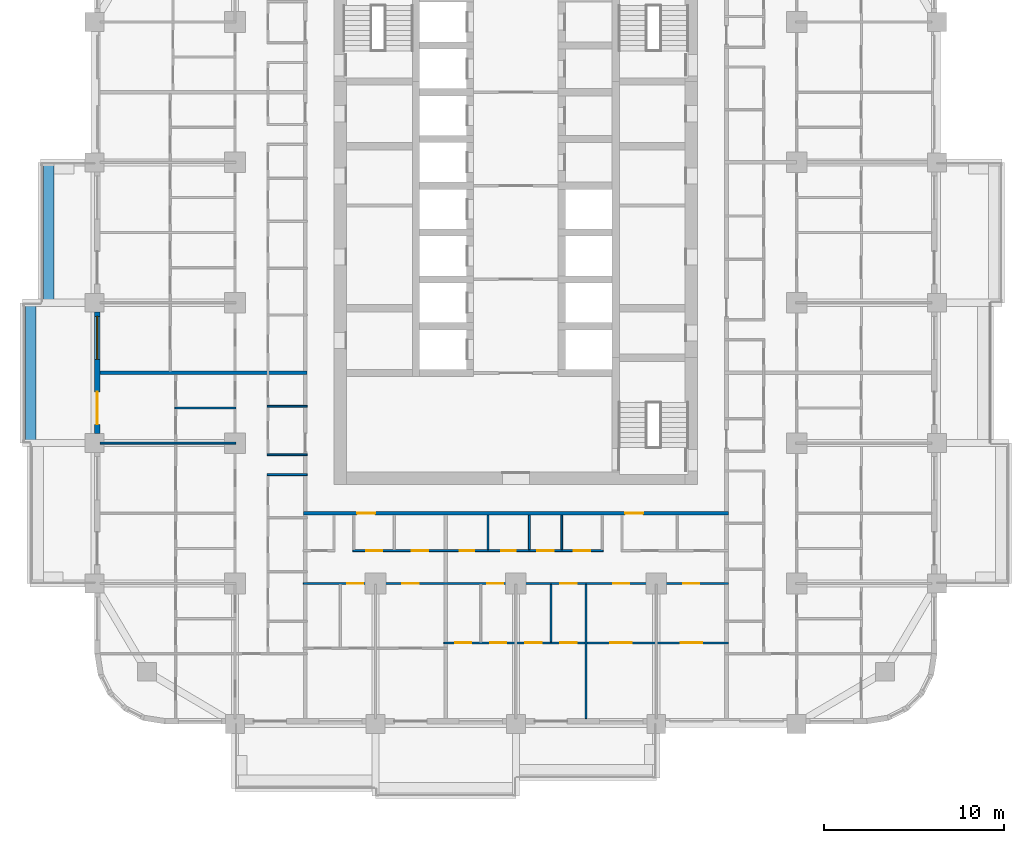
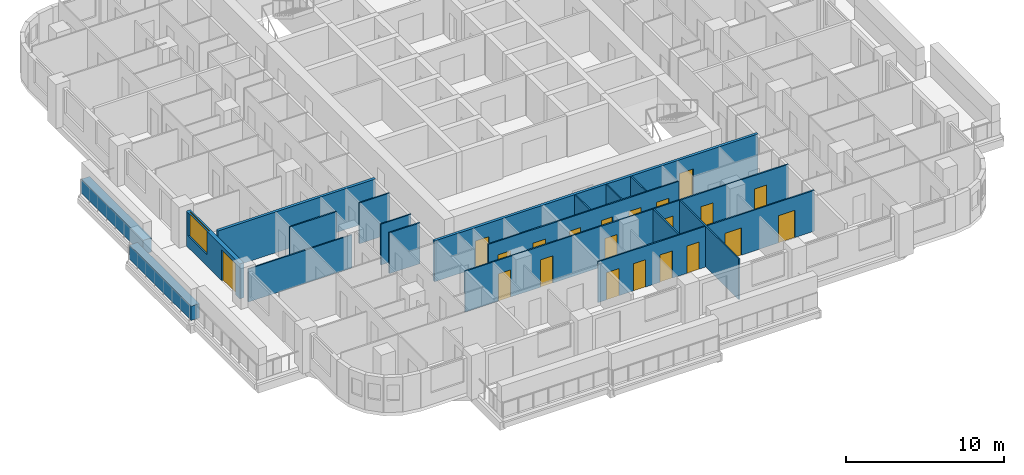
# One storey, part 4 of 17: 21 doors, 18 walls, 1 window, 22 openings.
"""IFC4 building model written with IfcOpenShell, lengths in metres."""

from ifc_helpers import new_model, si_unit, direction, frame, frame_2d, origin, place, context, subcontext, project, spatial, rectangle, extrude, material, layer, layer_set, type_object, element, fill, save


model = new_model("IFC4")

# Units and contexts
model_context = context("Model", 3, precision=1e-05, world=origin(), true_north=direction((0.0, 1.0)))
body_context = subcontext(model_context, "Body", "Model", "MODEL_VIEW")
ifc_project = project(units=[si_unit("LENGTHUNIT", "METRE"), si_unit("AREAUNIT", "SQUARE_METRE"), si_unit("VOLUMEUNIT", "CUBIC_METRE"), si_unit("PLANEANGLEUNIT", "RADIAN"), si_unit("MASSUNIT", "GRAM", prefix="KILO")], contexts=[model_context])

# Site, building, storey
site_placement = place(None, origin())
site = spatial("IfcSite", under=ifc_project, at=site_placement, CompositionType="ELEMENT")
building_placement = place(site_placement, origin())
building = spatial("IfcBuilding", under=site, at=building_placement, Name="Ludao Terraces", CompositionType="ELEMENT")
storey_placement = place(building_placement, frame((0.0, 0.0, 54.60009765625)))
storey = spatial("IfcBuildingStorey", under=building, at=storey_placement, Name="L14", CompositionType="ELEMENT", Elevation=54.60009765625)

# Walls
ifc_material_1 = material(Name="Concrete C40", Category="concrete")
ifc_layer_1 = layer(ifc_material_1, 0.60009765625)
ifc_layer_set_1 = layer_set([ifc_layer_1], Name="ENV Planter trough 600")
wall_type_1 = type_object("IfcWallType", Name="ENV Planter trough 600", PredefinedType="USERDEFINED", material=ifc_layer_set_1)
for number, where, z_axis, x_axis, name in (
    (1, (58.050048828125, 57.199951171875, 0.0), (0.0, 0.0, 1.0), (0.0, 1.0, 0.0), "PL-L14-W2"),
    (2, (59.050048828125, 65.0, 0.0), (0.0, 0.0, 1.0), (0.0, 1.0, 0.0), "PL-L14-W3"),
):
    element("IfcWall", number, at=place(storey_placement, frame(where, z_axis=z_axis, x_axis=x_axis)), inside=storey, type_object=wall_type_1, Name=name, ObjectType="PLANTER", PredefinedType="USERDEFINED", context=body_context, shape_type="SweptSolid", body=[
        extrude(rectangle(XDim=7.800048828125, YDim=0.60009765625, at=frame_2d((3.89990234375, 0.0))), origin(), (0.0, 0.0, 1.0), 1.099853515625),
    ])

# Wall, openings, door, window
ifc_material_2 = material(Name="Granite cladding", Category="masonry")
ifc_layer_2 = layer(ifc_material_2, 0.0400390625, Category="stone")
ifc_material_3 = material(Name="Mineral wool")
ifc_layer_3 = layer(ifc_material_3, 0.06005859375)
ifc_layer_4 = layer(ifc_material_1, 0.199951171875, Category="concrete")
ifc_layer_set_2 = layer_set([ifc_layer_2, ifc_layer_3, ifc_layer_4], Name="ENV Stone-clad wall 300")
wall_type_2 = type_object("IfcWallType", Name="ENV Stone-clad wall 300", PredefinedType="SOLIDWALL", material=ifc_layer_set_2)
wall_1_placement = place(storey_placement, frame((61.75, 57.72509765625, 0.0), z_axis=(0.0, 0.0, 1.0), x_axis=(0.0, 1.0, 0.0)))
wall_1 = element("IfcWall", 3, at=wall_1_placement, inside=storey, type_object=wall_type_2, Name="EW-L14-W3", PredefinedType="SOLIDWALL", context=body_context, shape_type="SweptSolid", body=[
    extrude(rectangle(XDim=6.75, YDim=0.300048828125, at=frame_2d((3.375, 0.0))), origin(), (0.0, 0.0, 1.0), 2.699951171875),
])
opening_1_placement = place(wall_1_placement, frame((0.52490234375, 0.0, 0.0)))
opening_1 = element("IfcOpeningElement", 4, at=opening_1_placement, cuts=wall_1, Name="Opening BD", PredefinedType="OPENING", context=body_context, shape_type="SweptSolid", body=[
    extrude(rectangle(XDim=1.800048828125, YDim=2.39990234375, at=frame_2d((0.89990234375, 1.199951171875))), frame((0.0, 0.16015625, 0.0), z_axis=(0.0, -1.0, 0.0), x_axis=(1.0, 0.0, 0.0)), (0.0, 0.0, 1.0), 0.320068359375),
])
opening_2_placement = place(wall_1_placement, frame((4.125, 0.0, 0.89990234375)))
opening_2 = element("IfcOpeningElement", 5, at=opening_2_placement, cuts=wall_1, Name="Opening W1", PredefinedType="OPENING", context=body_context, shape_type="SweptSolid", body=[
    extrude(rectangle(XDim=2.39990234375, YDim=1.800048828125, at=frame_2d((1.199951171875, 0.89990234375))), frame((0.0, 0.16015625, 0.0), z_axis=(0.0, -1.0, 0.0), x_axis=(1.0, 0.0, 0.0)), (0.0, 0.0, 1.0), 0.320068359375),
])
ifc_material_4 = material(Name="Aluminium glazed door", Category="aluminium")
ifc_layer_5 = layer(ifc_material_4, 0.06005859375)
ifc_layer_set_3 = layer_set([ifc_layer_5], Name="ENV Balcony door BD 1800x2400")
door_type_1 = type_object("IfcDoorType", Name="ENV Balcony door BD 1800x2400", OperationType="DOUBLE_DOOR_SINGLE_SWING", PredefinedType="DOOR", material=ifc_layer_set_3)
door_1_placement = place(opening_1_placement, origin())
door_1 = element("IfcDoor", 6, at=door_1_placement, inside=storey, type_object=door_type_1, Name="BD-L14-W3-1", OperationType="DOUBLE_DOOR_SINGLE_SWING", OverallHeight=2.39990234375, OverallWidth=1.800048828125, PredefinedType="DOOR", context=body_context, shape_type="SweptSolid", body=[
    extrude(rectangle(XDim=1.800048828125, YDim=2.39990234375, at=frame_2d((0.89990234375, 1.199951171875))), frame((0.0, 0.02490234375, 0.0), z_axis=(0.0, -1.0, 0.0), x_axis=(1.0, 0.0, 0.0)), (0.0, 0.0, 1.0), 0.050048828125),
])
fill(opening_1, door_1)
ifc_material_5 = material(Name="Clear glass in aluminium frame", Category="aluminium")
ifc_layer_6 = layer(ifc_material_5, 0.06005859375)
ifc_layer_set_4 = layer_set([ifc_layer_6], Name="ENV Window W1 2400x1800")
window_type = type_object("IfcWindowType", Name="ENV Window W1 2400x1800", PartitioningType="DOUBLE_PANEL_VERTICAL", PredefinedType="WINDOW", material=ifc_layer_set_4)
window_placement = place(opening_2_placement, origin())
window = element("IfcWindow", 7, at=window_placement, inside=storey, type_object=window_type, Name="W-L14-W3-2", OverallHeight=1.800048828125, OverallWidth=2.39990234375, PartitioningType="DOUBLE_PANEL_VERTICAL", PredefinedType="WINDOW", context=body_context, shape_type="SweptSolid", body=[
    extrude(rectangle(XDim=2.39990234375, YDim=1.800048828125, at=frame_2d((1.199951171875, 0.89990234375))), frame((0.0, 0.030029296875, 0.0), z_axis=(0.0, -1.0, 0.0), x_axis=(1.0, 0.0, 0.0)), (0.0, 0.0, 1.0), 0.06005859375),
])
fill(opening_2, window)

# Wall, openings, doors
ifc_material_6 = material(Name="Autoclaved aerated concrete block B06 A3.5", Category="concrete")
ifc_layer_7 = layer(ifc_material_6, 0.199951171875)
ifc_layer_set_5 = layer_set([ifc_layer_7], Name="INT Entrance wall 200")
wall_type_3 = type_object("IfcWallType", Name="INT Entrance wall 200", PredefinedType="PARTITIONING", material=ifc_layer_set_5)
wall_2_placement = place(storey_placement, frame((73.2001953125, 53.300048828125, 0.0), z_axis=(0.0, 0.0, 1.0), x_axis=(1.0, 0.0, 0.0)))
wall_2 = element("IfcWall", 8, at=wall_2_placement, inside=storey, type_object=wall_type_3, Name="PW-L14-PW021", PredefinedType="PARTITIONING", context=body_context, shape_type="SweptSolid", body=[
    extrude(rectangle(XDim=23.599853515625, YDim=0.199951171875, at=frame_2d((11.7998046875, 0.0))), origin(), (0.0, 0.0, 1.0), 3.14990234375),
])
opening_3_placement = place(wall_2_placement, frame((2.974853515625, 0.0, 0.0)))
opening_3 = element("IfcOpeningElement", 9, at=opening_3_placement, cuts=wall_2, Name="Opening R04-049", PredefinedType="OPENING", context=body_context, shape_type="SweptSolid", body=[
    extrude(rectangle(XDim=1.0, YDim=2.10009765625, at=frame_2d((0.5, 1.050048828125))), frame((0.0, 0.10986328125, 0.0), z_axis=(0.0, -1.0, 0.0), x_axis=(1.0, 0.0, 0.0)), (0.0, 0.0, 1.0), 0.219970703125),
])
opening_4_placement = place(wall_2_placement, frame((17.875, 0.0, 0.0)))
opening_4 = element("IfcOpeningElement", 10, at=opening_4_placement, cuts=wall_2, Name="Opening R04-050", PredefinedType="OPENING", context=body_context, shape_type="SweptSolid", body=[
    extrude(rectangle(XDim=1.0, YDim=2.10009765625, at=frame_2d((0.5, 1.050048828125))), frame((0.0, 0.10986328125, 0.0), z_axis=(0.0, -1.0, 0.0), x_axis=(1.0, 0.0, 0.0)), (0.0, 0.0, 1.0), 0.219970703125),
])
ifc_material_7 = material(Name="Steel Q235", Category="steel")
door_type_2 = type_object("IfcDoorType", Name="INT Flat entrance door 1000", OperationType="SINGLE_SWING_LEFT", PredefinedType="DOOR", material=ifc_material_7)
door_2_placement = place(opening_3_placement, origin())
door_2 = element("IfcDoor", 11, at=door_2_placement, inside=storey, type_object=door_type_2, Name="DOOR 049", OperationType="SINGLE_SWING_LEFT", OverallHeight=2.10009765625, OverallWidth=1.0, PredefinedType="DOOR", context=body_context, shape_type="SweptSolid", body=[
    extrude(rectangle(XDim=1.0, YDim=2.10009765625, at=frame_2d((0.5, 1.050048828125))), frame((0.0, 0.02490234375, 0.0), z_axis=(0.0, -1.0, 0.0), x_axis=(1.0, 0.0, 0.0)), (0.0, 0.0, 1.0), 0.050048828125),
])
fill(opening_3, door_2)
door_3_placement = place(opening_4_placement, origin())
door_3 = element("IfcDoor", 12, at=door_3_placement, inside=storey, type_object=door_type_2, Name="DOOR 050", OperationType="SINGLE_SWING_LEFT", OverallHeight=2.10009765625, OverallWidth=1.0, PredefinedType="DOOR", context=body_context, shape_type="SweptSolid", body=[
    extrude(rectangle(XDim=1.0, YDim=2.10009765625, at=frame_2d((0.5, 1.050048828125))), frame((0.0, 0.02490234375, 0.0), z_axis=(0.0, -1.0, 0.0), x_axis=(1.0, 0.0, 0.0)), (0.0, 0.0, 1.0), 0.050048828125),
])
fill(opening_4, door_3)

ifc_material_8 = material(Name="Gypsum plasterboard", Category="gypsum")
ifc_layer_8 = layer(ifc_material_8, 0.012451171875, Category="gypsum")
ifc_layer_9 = layer(ifc_material_3, 0.06005859375, Name="insulation")
ifc_layer_10 = layer(ifc_material_7, 0.014892578125, Name="stud")
ifc_layer_11 = layer(ifc_material_8, 0.012451171875, Category="gypsum")
ifc_layer_set_6 = layer_set([ifc_layer_8, ifc_layer_9, ifc_layer_10, ifc_layer_11], Name="INT Partition 100")
wall_type_4 = type_object("IfcWallType", Name="INT Partition 100", PredefinedType="PARTITIONING", material=ifc_layer_set_6)
wall_3_placement = place(storey_placement, frame((81.0, 46.10009765625, 0.0), z_axis=(0.0, 0.0, 1.0), x_axis=(1.0, 0.0, 0.0)))
wall_3 = element("IfcWall", 13, at=wall_3_placement, inside=storey, type_object=wall_type_4, Name="PW-L14-PW003", PredefinedType="PARTITIONING", context=body_context, shape_type="SweptSolid", body=[
    extrude(rectangle(XDim=15.800048828125, YDim=0.10009765625, at=frame_2d((7.89990234375, 0.0))), origin(), (0.0, 0.0, 1.0), 3.14990234375),
])
opening_5_placement = place(wall_3_placement, frame((0.625, 0.0, 0.0)))
opening_5 = element("IfcOpeningElement", 14, at=opening_5_placement, cuts=wall_3, Name="Opening R04-010", PredefinedType="OPENING", context=body_context, shape_type="SweptSolid", body=[
    extrude(rectangle(XDim=0.89990234375, YDim=2.10009765625, at=frame_2d((0.449951171875, 1.050048828125))), frame((0.0, 0.06005859375, 0.0), z_axis=(0.0, -1.0, 0.0), x_axis=(1.0, 0.0, 0.0)), (0.0, 0.0, 1.0), 0.1201171875),
])
opening_6_placement = place(wall_3_placement, frame((2.5751953125, 0.0, 0.0)))
opening_6 = element("IfcOpeningElement", 15, at=opening_6_placement, cuts=wall_3, Name="Opening R04-011", PredefinedType="OPENING", context=body_context, shape_type="SweptSolid", body=[
    extrude(rectangle(XDim=0.89990234375, YDim=2.10009765625, at=frame_2d((0.449951171875, 1.050048828125))), frame((0.0, 0.06005859375, 0.0), z_axis=(0.0, -1.0, 0.0), x_axis=(1.0, 0.0, 0.0)), (0.0, 0.0, 1.0), 0.1201171875),
])
opening_7_placement = place(wall_3_placement, frame((4.525146484375, 0.0, 0.0)))
opening_7 = element("IfcOpeningElement", 16, at=opening_7_placement, cuts=wall_3, Name="Opening R04-012", PredefinedType="OPENING", context=body_context, shape_type="SweptSolid", body=[
    extrude(rectangle(XDim=0.89990234375, YDim=2.10009765625, at=frame_2d((0.449951171875, 1.050048828125))), frame((0.0, 0.06005859375, 0.0), z_axis=(0.0, -1.0, 0.0), x_axis=(1.0, 0.0, 0.0)), (0.0, 0.0, 1.0), 0.1201171875),
])
opening_8_placement = place(wall_3_placement, frame((6.47509765625, 0.0, 0.0)))
opening_8 = element("IfcOpeningElement", 17, at=opening_8_placement, cuts=wall_3, Name="Opening R04-013", PredefinedType="OPENING", context=body_context, shape_type="SweptSolid", body=[
    extrude(rectangle(XDim=0.89990234375, YDim=2.10009765625, at=frame_2d((0.449951171875, 1.050048828125))), frame((0.0, 0.06005859375, 0.0), z_axis=(0.0, -1.0, 0.0), x_axis=(1.0, 0.0, 0.0)), (0.0, 0.0, 1.0), 0.1201171875),
])
opening_9_placement = place(wall_3_placement, frame((9.25, 0.0, 0.0)))
opening_9 = element("IfcOpeningElement", 18, at=opening_9_placement, cuts=wall_3, Name="Opening R04-014", PredefinedType="OPENING", context=body_context, shape_type="SweptSolid", body=[
    extrude(rectangle(XDim=1.199951171875, YDim=2.10009765625, at=frame_2d((0.60009765625, 1.050048828125))), frame((0.0, 0.06005859375, 0.0), z_axis=(0.0, -1.0, 0.0), x_axis=(1.0, 0.0, 0.0)), (0.0, 0.0, 1.0), 0.1201171875),
])
opening_10_placement = place(wall_3_placement, frame((13.150146484375, 0.0, 0.0)))
opening_10 = element("IfcOpeningElement", 19, at=opening_10_placement, cuts=wall_3, Name="Opening R04-015", PredefinedType="OPENING", context=body_context, shape_type="SweptSolid", body=[
    extrude(rectangle(XDim=1.199951171875, YDim=2.10009765625, at=frame_2d((0.60009765625, 1.050048828125))), frame((0.0, 0.06005859375, 0.0), z_axis=(0.0, -1.0, 0.0), x_axis=(1.0, 0.0, 0.0)), (0.0, 0.0, 1.0), 0.1201171875),
])
ifc_material_9 = material(Name="Timber door leaf", Category="wood")
door_type_3 = type_object("IfcDoorType", Name="INT Bathroom door 900", OperationType="SINGLE_SWING_LEFT", PredefinedType="DOOR", material=ifc_material_9)
door_4_placement = place(opening_5_placement, origin())
door_4 = element("IfcDoor", 20, at=door_4_placement, inside=storey, type_object=door_type_3, Name="DOOR 010", OperationType="SINGLE_SWING_LEFT", OverallHeight=2.10009765625, OverallWidth=0.89990234375, PredefinedType="DOOR", context=body_context, shape_type="SweptSolid", body=[
    extrude(rectangle(XDim=0.89990234375, YDim=2.10009765625, at=frame_2d((0.449951171875, 1.050048828125))), frame((0.0, 0.02490234375, 0.0), z_axis=(0.0, -1.0, 0.0), x_axis=(1.0, 0.0, 0.0)), (0.0, 0.0, 1.0), 0.050048828125),
])
fill(opening_5, door_4)
door_5_placement = place(opening_7_placement, origin())
door_5 = element("IfcDoor", 21, at=door_5_placement, inside=storey, type_object=door_type_3, Name="DOOR 012", OperationType="SINGLE_SWING_RIGHT", OverallHeight=2.10009765625, OverallWidth=0.89990234375, PredefinedType="DOOR", context=body_context, shape_type="SweptSolid", body=[
    extrude(rectangle(XDim=0.89990234375, YDim=2.10009765625, at=frame_2d((0.449951171875, 1.050048828125))), frame((0.0, 0.02490234375, 0.0), z_axis=(0.0, -1.0, 0.0), x_axis=(1.0, 0.0, 0.0)), (0.0, 0.0, 1.0), 0.050048828125),
])
fill(opening_7, door_5)
door_type_4 = type_object("IfcDoorType", Name="INT Double door 1200", OperationType="DOUBLE_DOOR_SINGLE_SWING", PredefinedType="DOOR", material=ifc_material_9)
door_6_placement = place(opening_9_placement, origin())
door_6 = element("IfcDoor", 22, at=door_6_placement, inside=storey, type_object=door_type_4, Name="DOOR 014", OperationType="DOUBLE_DOOR_SINGLE_SWING", OverallHeight=2.10009765625, OverallWidth=1.199951171875, PredefinedType="DOOR", context=body_context, shape_type="SweptSolid", body=[
    extrude(rectangle(XDim=1.199951171875, YDim=2.10009765625, at=frame_2d((0.60009765625, 1.050048828125))), frame((0.0, 0.02490234375, 0.0), z_axis=(0.0, -1.0, 0.0), x_axis=(1.0, 0.0, 0.0)), (0.0, 0.0, 1.0), 0.050048828125),
])
fill(opening_9, door_6)
door_7_placement = place(opening_10_placement, origin())
door_7 = element("IfcDoor", 23, at=door_7_placement, inside=storey, type_object=door_type_4, Name="DOOR 015", OperationType="DOUBLE_DOOR_SINGLE_SWING", OverallHeight=2.10009765625, OverallWidth=1.199951171875, PredefinedType="DOOR", context=body_context, shape_type="SweptSolid", body=[
    extrude(rectangle(XDim=1.199951171875, YDim=2.10009765625, at=frame_2d((0.60009765625, 1.050048828125))), frame((0.0, 0.02490234375, 0.0), z_axis=(0.0, -1.0, 0.0), x_axis=(1.0, 0.0, 0.0)), (0.0, 0.0, 1.0), 0.050048828125),
])
fill(opening_10, door_7)
door_type_5 = type_object("IfcDoorType", Name="INT Room door 900", OperationType="SINGLE_SWING_LEFT", PredefinedType="DOOR", material=ifc_material_9)
door_8_placement = place(opening_6_placement, origin())
door_8 = element("IfcDoor", 24, at=door_8_placement, inside=storey, type_object=door_type_5, Name="DOOR 011", OperationType="SINGLE_SWING_LEFT", OverallHeight=2.10009765625, OverallWidth=0.89990234375, PredefinedType="DOOR", context=body_context, shape_type="SweptSolid", body=[
    extrude(rectangle(XDim=0.89990234375, YDim=2.10009765625, at=frame_2d((0.449951171875, 1.050048828125))), frame((0.0, 0.02490234375, 0.0), z_axis=(0.0, -1.0, 0.0), x_axis=(1.0, 0.0, 0.0)), (0.0, 0.0, 1.0), 0.050048828125),
])
fill(opening_6, door_8)
door_9_placement = place(opening_8_placement, origin())
door_9 = element("IfcDoor", 25, at=door_9_placement, inside=storey, type_object=door_type_5, Name="DOOR 013", OperationType="SINGLE_SWING_LEFT", OverallHeight=2.10009765625, OverallWidth=0.89990234375, PredefinedType="DOOR", context=body_context, shape_type="SweptSolid", body=[
    extrude(rectangle(XDim=0.89990234375, YDim=2.10009765625, at=frame_2d((0.449951171875, 1.050048828125))), frame((0.0, 0.02490234375, 0.0), z_axis=(0.0, -1.0, 0.0), x_axis=(1.0, 0.0, 0.0)), (0.0, 0.0, 1.0), 0.050048828125),
])
fill(opening_8, door_9)

wall_4_placement = place(storey_placement, frame((73.2001953125, 49.39990234375, 0.0), z_axis=(0.0, 0.0, 1.0), x_axis=(1.0, 0.0, 0.0)))
wall_4 = element("IfcWall", 26, at=wall_4_placement, inside=storey, type_object=wall_type_4, Name="PW-L14-PW009", PredefinedType="PARTITIONING", context=body_context, shape_type="SweptSolid", body=[
    extrude(rectangle(XDim=23.599853515625, YDim=0.10009765625, at=frame_2d((11.7998046875, 0.0))), origin(), (0.0, 0.0, 1.0), 3.14990234375),
])
opening_11_placement = place(wall_4_placement, frame((2.4248046875, 0.0, 0.0)))
opening_11 = element("IfcOpeningElement", 27, at=opening_11_placement, cuts=wall_4, Name="Opening R04-026", PredefinedType="OPENING", context=body_context, shape_type="SweptSolid", body=[
    extrude(rectangle(XDim=0.89990234375, YDim=2.10009765625, at=frame_2d((0.449951171875, 1.050048828125))), frame((0.0, 0.06005859375, 0.0), z_axis=(0.0, -1.0, 0.0), x_axis=(1.0, 0.0, 0.0)), (0.0, 0.0, 1.0), 0.1201171875),
])
opening_12_placement = place(wall_4_placement, frame((5.5, 0.0, 0.0)))
opening_12 = element("IfcOpeningElement", 28, at=opening_12_placement, cuts=wall_4, Name="Opening R04-027", PredefinedType="OPENING", context=body_context, shape_type="SweptSolid", body=[
    extrude(rectangle(XDim=0.89990234375, YDim=2.10009765625, at=frame_2d((0.449951171875, 1.050048828125))), frame((0.0, 0.06005859375, 0.0), z_axis=(0.0, -1.0, 0.0), x_axis=(1.0, 0.0, 0.0)), (0.0, 0.0, 1.0), 0.1201171875),
])
opening_13_placement = place(wall_4_placement, frame((10.199951171875, 0.0, 0.0)))
opening_13 = element("IfcOpeningElement", 29, at=opening_13_placement, cuts=wall_4, Name="Opening R04-028", PredefinedType="OPENING", context=body_context, shape_type="SweptSolid", body=[
    extrude(rectangle(XDim=0.89990234375, YDim=2.10009765625, at=frame_2d((0.449951171875, 1.050048828125))), frame((0.0, 0.06005859375, 0.0), z_axis=(0.0, -1.0, 0.0), x_axis=(1.0, 0.0, 0.0)), (0.0, 0.0, 1.0), 0.1201171875),
])
opening_14_placement = place(wall_4_placement, frame((14.27490234375, 0.0, 0.0)))
opening_14 = element("IfcOpeningElement", 30, at=opening_14_placement, cuts=wall_4, Name="Opening R04-029", PredefinedType="OPENING", context=body_context, shape_type="SweptSolid", body=[
    extrude(rectangle(XDim=0.89990234375, YDim=2.10009765625, at=frame_2d((0.449951171875, 1.050048828125))), frame((0.0, 0.06005859375, 0.0), z_axis=(0.0, -1.0, 0.0), x_axis=(1.0, 0.0, 0.0)), (0.0, 0.0, 1.0), 0.1201171875),
])
opening_15_placement = place(wall_4_placement, frame((17.199951171875, 0.0, 0.0)))
opening_15 = element("IfcOpeningElement", 31, at=opening_15_placement, cuts=wall_4, Name="Opening R04-030", PredefinedType="OPENING", context=body_context, shape_type="SweptSolid", body=[
    extrude(rectangle(XDim=0.89990234375, YDim=2.10009765625, at=frame_2d((0.449951171875, 1.050048828125))), frame((0.0, 0.06005859375, 0.0), z_axis=(0.0, -1.0, 0.0), x_axis=(1.0, 0.0, 0.0)), (0.0, 0.0, 1.0), 0.1201171875),
])
opening_16_placement = place(wall_4_placement, frame((21.099853515625, 0.0, 0.0)))
opening_16 = element("IfcOpeningElement", 32, at=opening_16_placement, cuts=wall_4, Name="Opening R04-031", PredefinedType="OPENING", context=body_context, shape_type="SweptSolid", body=[
    extrude(rectangle(XDim=0.89990234375, YDim=2.10009765625, at=frame_2d((0.449951171875, 1.050048828125))), frame((0.0, 0.06005859375, 0.0), z_axis=(0.0, -1.0, 0.0), x_axis=(1.0, 0.0, 0.0)), (0.0, 0.0, 1.0), 0.1201171875),
])
door_10_placement = place(opening_11_placement, origin())
door_10 = element("IfcDoor", 33, at=door_10_placement, inside=storey, type_object=door_type_5, Name="DOOR 026", OperationType="SINGLE_SWING_RIGHT", OverallHeight=2.10009765625, OverallWidth=0.89990234375, PredefinedType="DOOR", context=body_context, shape_type="SweptSolid", body=[
    extrude(rectangle(XDim=0.89990234375, YDim=2.10009765625, at=frame_2d((0.449951171875, 1.050048828125))), frame((0.0, 0.02490234375, 0.0), z_axis=(0.0, -1.0, 0.0), x_axis=(1.0, 0.0, 0.0)), (0.0, 0.0, 1.0), 0.050048828125),
])
fill(opening_11, door_10)
door_11_placement = place(opening_12_placement, origin())
door_11 = element("IfcDoor", 34, at=door_11_placement, inside=storey, type_object=door_type_5, Name="DOOR 027", OperationType="SINGLE_SWING_RIGHT", OverallHeight=2.10009765625, OverallWidth=0.89990234375, PredefinedType="DOOR", context=body_context, shape_type="SweptSolid", body=[
    extrude(rectangle(XDim=0.89990234375, YDim=2.10009765625, at=frame_2d((0.449951171875, 1.050048828125))), frame((0.0, 0.02490234375, 0.0), z_axis=(0.0, -1.0, 0.0), x_axis=(1.0, 0.0, 0.0)), (0.0, 0.0, 1.0), 0.050048828125),
])
fill(opening_12, door_11)
door_12_placement = place(opening_13_placement, origin())
door_12 = element("IfcDoor", 35, at=door_12_placement, inside=storey, type_object=door_type_5, Name="DOOR 028", OperationType="SINGLE_SWING_RIGHT", OverallHeight=2.10009765625, OverallWidth=0.89990234375, PredefinedType="DOOR", context=body_context, shape_type="SweptSolid", body=[
    extrude(rectangle(XDim=0.89990234375, YDim=2.10009765625, at=frame_2d((0.449951171875, 1.050048828125))), frame((0.0, 0.02490234375, 0.0), z_axis=(0.0, -1.0, 0.0), x_axis=(1.0, 0.0, 0.0)), (0.0, 0.0, 1.0), 0.050048828125),
])
fill(opening_13, door_12)
door_13_placement = place(opening_14_placement, origin())
door_13 = element("IfcDoor", 36, at=door_13_placement, inside=storey, type_object=door_type_5, Name="DOOR 029", OperationType="SINGLE_SWING_RIGHT", OverallHeight=2.10009765625, OverallWidth=0.89990234375, PredefinedType="DOOR", context=body_context, shape_type="SweptSolid", body=[
    extrude(rectangle(XDim=0.89990234375, YDim=2.10009765625, at=frame_2d((0.449951171875, 1.050048828125))), frame((0.0, 0.02490234375, 0.0), z_axis=(0.0, -1.0, 0.0), x_axis=(1.0, 0.0, 0.0)), (0.0, 0.0, 1.0), 0.050048828125),
])
fill(opening_14, door_13)
door_14_placement = place(opening_15_placement, origin())
door_14 = element("IfcDoor", 37, at=door_14_placement, inside=storey, type_object=door_type_5, Name="DOOR 030", OperationType="SINGLE_SWING_RIGHT", OverallHeight=2.10009765625, OverallWidth=0.89990234375, PredefinedType="DOOR", context=body_context, shape_type="SweptSolid", body=[
    extrude(rectangle(XDim=0.89990234375, YDim=2.10009765625, at=frame_2d((0.449951171875, 1.050048828125))), frame((0.0, 0.02490234375, 0.0), z_axis=(0.0, -1.0, 0.0), x_axis=(1.0, 0.0, 0.0)), (0.0, 0.0, 1.0), 0.050048828125),
])
fill(opening_15, door_14)
door_15_placement = place(opening_16_placement, origin())
door_15 = element("IfcDoor", 38, at=door_15_placement, inside=storey, type_object=door_type_5, Name="DOOR 031", OperationType="SINGLE_SWING_RIGHT", OverallHeight=2.10009765625, OverallWidth=0.89990234375, PredefinedType="DOOR", context=body_context, shape_type="SweptSolid", body=[
    extrude(rectangle(XDim=0.89990234375, YDim=2.10009765625, at=frame_2d((0.449951171875, 1.050048828125))), frame((0.0, 0.02490234375, 0.0), z_axis=(0.0, -1.0, 0.0), x_axis=(1.0, 0.0, 0.0)), (0.0, 0.0, 1.0), 0.050048828125),
])
fill(opening_16, door_15)

wall_5_placement = place(storey_placement, frame((75.9501953125, 51.22998046875, 0.0), z_axis=(0.0, 0.0, 1.0), x_axis=(1.0, 0.0, 0.0)))
wall_5 = element("IfcWall", 39, at=wall_5_placement, inside=storey, type_object=wall_type_4, Name="PW-L14-PW014", PredefinedType="PARTITIONING", context=body_context, shape_type="SweptSolid", body=[
    extrude(rectangle(XDim=13.89990234375, YDim=0.10009765625, at=frame_2d((6.949951171875, 0.0))), origin(), (0.0, 0.0, 1.0), 3.14990234375),
])
opening_17_placement = place(wall_5_placement, frame((0.724853515625, 0.0, 0.0)))
opening_17 = element("IfcOpeningElement", 40, at=opening_17_placement, cuts=wall_5, Name="Opening R04-035", PredefinedType="OPENING", context=body_context, shape_type="SweptSolid", body=[
    extrude(rectangle(XDim=0.89990234375, YDim=2.10009765625, at=frame_2d((0.449951171875, 1.050048828125))), frame((0.0, 0.06005859375, 0.0), z_axis=(0.0, -1.0, 0.0), x_axis=(1.0, 0.0, 0.0)), (0.0, 0.0, 1.0), 0.1201171875),
])
opening_18_placement = place(wall_5_placement, frame((3.27490234375, 0.0, 0.0)))
opening_18 = element("IfcOpeningElement", 41, at=opening_18_placement, cuts=wall_5, Name="Opening R04-036", PredefinedType="OPENING", context=body_context, shape_type="SweptSolid", body=[
    extrude(rectangle(XDim=0.89990234375, YDim=2.10009765625, at=frame_2d((0.449951171875, 1.050048828125))), frame((0.0, 0.06005859375, 0.0), z_axis=(0.0, -1.0, 0.0), x_axis=(1.0, 0.0, 0.0)), (0.0, 0.0, 1.0), 0.1201171875),
])
opening_19_placement = place(wall_5_placement, frame((5.9248046875, 0.0, 0.0)))
opening_19 = element("IfcOpeningElement", 42, at=opening_19_placement, cuts=wall_5, Name="Opening R04-037", PredefinedType="OPENING", context=body_context, shape_type="SweptSolid", body=[
    extrude(rectangle(XDim=0.800048828125, YDim=2.10009765625, at=frame_2d((0.39990234375, 1.050048828125))), frame((0.0, 0.06005859375, 0.0), z_axis=(0.0, -1.0, 0.0), x_axis=(1.0, 0.0, 0.0)), (0.0, 0.0, 1.0), 0.1201171875),
])
opening_20_placement = place(wall_5_placement, frame((8.25, 0.0, 0.0)))
opening_20 = element("IfcOpeningElement", 43, at=opening_20_placement, cuts=wall_5, Name="Opening R04-038", PredefinedType="OPENING", context=body_context, shape_type="SweptSolid", body=[
    extrude(rectangle(XDim=0.800048828125, YDim=2.10009765625, at=frame_2d((0.39990234375, 1.050048828125))), frame((0.0, 0.06005859375, 0.0), z_axis=(0.0, -1.0, 0.0), x_axis=(1.0, 0.0, 0.0)), (0.0, 0.0, 1.0), 0.1201171875),
])
opening_21_placement = place(wall_5_placement, frame((10.25, 0.0, 0.0)))
opening_21 = element("IfcOpeningElement", 44, at=opening_21_placement, cuts=wall_5, Name="Opening R04-039", PredefinedType="OPENING", context=body_context, shape_type="SweptSolid", body=[
    extrude(rectangle(XDim=0.89990234375, YDim=2.10009765625, at=frame_2d((0.449951171875, 1.050048828125))), frame((0.0, 0.06005859375, 0.0), z_axis=(0.0, -1.0, 0.0), x_axis=(1.0, 0.0, 0.0)), (0.0, 0.0, 1.0), 0.1201171875),
])
opening_22_placement = place(wall_5_placement, frame((12.27490234375, 0.0, 0.0)))
opening_22 = element("IfcOpeningElement", 45, at=opening_22_placement, cuts=wall_5, Name="Opening R04-040", PredefinedType="OPENING", context=body_context, shape_type="SweptSolid", body=[
    extrude(rectangle(XDim=0.89990234375, YDim=2.10009765625, at=frame_2d((0.449951171875, 1.050048828125))), frame((0.0, 0.06005859375, 0.0), z_axis=(0.0, -1.0, 0.0), x_axis=(1.0, 0.0, 0.0)), (0.0, 0.0, 1.0), 0.1201171875),
])
door_16_placement = place(opening_17_placement, origin())
door_16 = element("IfcDoor", 46, at=door_16_placement, inside=storey, type_object=door_type_3, Name="DOOR 035", OperationType="SINGLE_SWING_LEFT", OverallHeight=2.10009765625, OverallWidth=0.89990234375, PredefinedType="DOOR", context=body_context, shape_type="SweptSolid", body=[
    extrude(rectangle(XDim=0.89990234375, YDim=2.10009765625, at=frame_2d((0.449951171875, 1.050048828125))), frame((0.0, 0.02490234375, 0.0), z_axis=(0.0, -1.0, 0.0), x_axis=(1.0, 0.0, 0.0)), (0.0, 0.0, 1.0), 0.050048828125),
])
fill(opening_17, door_16)
door_17_placement = place(opening_21_placement, origin())
door_17 = element("IfcDoor", 47, at=door_17_placement, inside=storey, type_object=door_type_3, Name="DOOR 039", OperationType="SINGLE_SWING_LEFT", OverallHeight=2.10009765625, OverallWidth=0.89990234375, PredefinedType="DOOR", context=body_context, shape_type="SweptSolid", body=[
    extrude(rectangle(XDim=0.89990234375, YDim=2.10009765625, at=frame_2d((0.449951171875, 1.050048828125))), frame((0.0, 0.02490234375, 0.0), z_axis=(0.0, -1.0, 0.0), x_axis=(1.0, 0.0, 0.0)), (0.0, 0.0, 1.0), 0.050048828125),
])
fill(opening_21, door_17)
door_18_placement = place(opening_22_placement, origin())
door_18 = element("IfcDoor", 48, at=door_18_placement, inside=storey, type_object=door_type_3, Name="DOOR 040", OperationType="SINGLE_SWING_RIGHT", OverallHeight=2.10009765625, OverallWidth=0.89990234375, PredefinedType="DOOR", context=body_context, shape_type="SweptSolid", body=[
    extrude(rectangle(XDim=0.89990234375, YDim=2.10009765625, at=frame_2d((0.449951171875, 1.050048828125))), frame((0.0, 0.02490234375, 0.0), z_axis=(0.0, -1.0, 0.0), x_axis=(1.0, 0.0, 0.0)), (0.0, 0.0, 1.0), 0.050048828125),
])
fill(opening_22, door_18)
door_19_placement = place(opening_18_placement, origin())
door_19 = element("IfcDoor", 49, at=door_19_placement, inside=storey, type_object=door_type_5, Name="DOOR 036", OperationType="SINGLE_SWING_RIGHT", OverallHeight=2.10009765625, OverallWidth=0.89990234375, PredefinedType="DOOR", context=body_context, shape_type="SweptSolid", body=[
    extrude(rectangle(XDim=0.89990234375, YDim=2.10009765625, at=frame_2d((0.449951171875, 1.050048828125))), frame((0.0, 0.02490234375, 0.0), z_axis=(0.0, -1.0, 0.0), x_axis=(1.0, 0.0, 0.0)), (0.0, 0.0, 1.0), 0.050048828125),
])
fill(opening_18, door_19)
door_type_6 = type_object("IfcDoorType", Name="INT Store door 800", OperationType="SINGLE_SWING_LEFT", PredefinedType="DOOR", material=ifc_material_9)
door_20_placement = place(opening_19_placement, origin())
door_20 = element("IfcDoor", 50, at=door_20_placement, inside=storey, type_object=door_type_6, Name="DOOR 037", OperationType="SINGLE_SWING_LEFT", OverallHeight=2.10009765625, OverallWidth=0.800048828125, PredefinedType="DOOR", context=body_context, shape_type="SweptSolid", body=[
    extrude(rectangle(XDim=0.800048828125, YDim=2.10009765625, at=frame_2d((0.39990234375, 1.050048828125))), frame((0.0, 0.02490234375, 0.0), z_axis=(0.0, -1.0, 0.0), x_axis=(1.0, 0.0, 0.0)), (0.0, 0.0, 1.0), 0.050048828125),
])
fill(opening_19, door_20)
door_21_placement = place(opening_20_placement, origin())
door_21 = element("IfcDoor", 51, at=door_21_placement, inside=storey, type_object=door_type_6, Name="DOOR 038", OperationType="SINGLE_SWING_LEFT", OverallHeight=2.10009765625, OverallWidth=0.800048828125, PredefinedType="DOOR", context=body_context, shape_type="SweptSolid", body=[
    extrude(rectangle(XDim=0.800048828125, YDim=2.10009765625, at=frame_2d((0.39990234375, 1.050048828125))), frame((0.0, 0.02490234375, 0.0), z_axis=(0.0, -1.0, 0.0), x_axis=(1.0, 0.0, 0.0)), (0.0, 0.0, 1.0), 0.050048828125),
])
fill(opening_20, door_21)

# Walls
for number, where, z_axis, x_axis, name in (
    (52, (71.18017578125, 55.449951171875, 0.0), (0.0, 0.0, 1.0), (1.0, 0.0, 0.0), "PW-L14-PW023"),
    (53, (71.18017578125, 56.550048828125, 0.0), (0.0, 0.0, 1.0), (1.0, 0.0, 0.0), "PW-L14-PW025"),
):
    element("IfcWall", number, at=place(storey_placement, frame(where, z_axis=z_axis, x_axis=x_axis)), inside=storey, type_object=wall_type_4, Name=name, PredefinedType="PARTITIONING", context=body_context, shape_type="SweptSolid", body=[
        extrude(rectangle(XDim=2.219970703125, YDim=0.10009765625, at=frame_2d((1.10986328125, 0.0))), origin(), (0.0, 0.0, 1.0), 3.14990234375),
    ])
wall_6_placement = place(storey_placement, frame((61.900146484375, 57.199951171875, 0.0), z_axis=(0.0, 0.0, 1.0), x_axis=(1.0, 0.0, 0.0)))
element("IfcWall", 54, at=wall_6_placement, inside=storey, type_object=wall_type_4, Name="PW-L14-PW027", PredefinedType="PARTITIONING", context=body_context, shape_type="SweptSolid", body=[
    extrude(rectangle(XDim=7.550048828125, YDim=0.10009765625, at=frame_2d((3.77490234375, 0.0))), origin(), (0.0, 0.0, 1.0), 2.5498046875),
])
wall_7_placement = place(storey_placement, frame((66.050048828125, 59.14990234375, 0.0), z_axis=(0.0, 0.0, 1.0), x_axis=(1.0, 0.0, 0.0)))
element("IfcWall", 55, at=wall_7_placement, inside=storey, type_object=wall_type_4, Name="PW-L14-PW030", PredefinedType="PARTITIONING", context=body_context, shape_type="SweptSolid", body=[
    extrude(rectangle(XDim=3.400146484375, YDim=0.10009765625, at=frame_2d((1.7001953125, 0.0))), origin(), (0.0, 0.0, 1.0), 3.14990234375),
])
wall_8_placement = place(storey_placement, frame((71.18017578125, 59.25, 0.0), z_axis=(0.0, 0.0, 1.0), x_axis=(1.0, 0.0, 0.0)))
element("IfcWall", 56, at=wall_8_placement, inside=storey, type_object=wall_type_4, Name="PW-L14-PW032", PredefinedType="PARTITIONING", context=body_context, shape_type="SweptSolid", body=[
    extrude(rectangle(XDim=2.219970703125, YDim=0.10009765625, at=frame_2d((1.10986328125, 0.0))), origin(), (0.0, 0.0, 1.0), 3.14990234375),
])
for number, where, z_axis, x_axis, name in (
    (57, (83.449951171875, 51.280029296875, 0.0), (0.0, 0.0, 1.0), (0.0, 1.0, 0.0), "PW-L14-PW100"),
    (58, (85.75, 51.280029296875, 0.0), (0.0, 0.0, 1.0), (0.0, 1.0, 0.0), "PW-L14-PW103"),
):
    element("IfcWall", number, at=place(storey_placement, frame(where, z_axis=z_axis, x_axis=x_axis)), inside=storey, type_object=wall_type_4, Name=name, PredefinedType="PARTITIONING", context=body_context, shape_type="SweptSolid", body=[
        extrude(rectangle(XDim=1.920166015625, YDim=0.10009765625, at=frame_2d((0.9599609375, 0.0))), origin(), (0.0, 0.0, 1.0), 3.14990234375),
    ])
wall_9_placement = place(storey_placement, frame((86.949951171875, 46.150146484375, 0.0), z_axis=(0.0, 0.0, 1.0), x_axis=(0.0, 1.0, 0.0)))
element("IfcWall", 59, at=wall_9_placement, inside=storey, type_object=wall_type_4, Name="PW-L14-PW104", PredefinedType="PARTITIONING", context=body_context, shape_type="SweptSolid", body=[
    extrude(rectangle(XDim=3.199951171875, YDim=0.10009765625, at=frame_2d((1.60009765625, 0.0))), origin(), (0.0, 0.0, 1.0), 3.14990234375),
])
wall_10_placement = place(storey_placement, frame((87.550048828125, 51.280029296875, 0.0), z_axis=(0.0, 0.0, 1.0), x_axis=(0.0, 1.0, 0.0)))
element("IfcWall", 60, at=wall_10_placement, inside=storey, type_object=wall_type_4, Name="PW-L14-PW105", PredefinedType="PARTITIONING", context=body_context, shape_type="SweptSolid", body=[
    extrude(rectangle(XDim=1.920166015625, YDim=0.10009765625, at=frame_2d((0.9599609375, 0.0))), origin(), (0.0, 0.0, 1.0), 3.14990234375),
])
wall_11_placement = place(storey_placement, frame((88.89990234375, 41.900146484375, 0.0), z_axis=(0.0, 0.0, 1.0), x_axis=(0.0, 1.0, 0.0)))
element("IfcWall", 61, at=wall_11_placement, inside=storey, type_object=wall_type_4, Name="PW-L14-PW106", PredefinedType="PARTITIONING", context=body_context, shape_type="SweptSolid", body=[
    extrude(rectangle(XDim=7.449951171875, YDim=0.10009765625, at=frame_2d((3.72509765625, 0.0))), origin(), (0.0, 0.0, 1.0), 3.14990234375),
])
ifc_layer_12 = layer(ifc_material_6, 0.199951171875)
ifc_layer_set_7 = layer_set([ifc_layer_12], Name="INT Party wall 200")
wall_type_5 = type_object("IfcWallType", Name="INT Party wall 200", PredefinedType="PARTITIONING", material=ifc_layer_set_7)
wall_12_placement = place(storey_placement, frame((61.900146484375, 61.10009765625, 0.0), z_axis=(0.0, 0.0, 1.0), x_axis=(1.0, 0.0, 0.0)))
element("IfcWall", 62, at=wall_12_placement, inside=storey, type_object=wall_type_5, Name="PW-L14-PW033", PredefinedType="PARTITIONING", context=body_context, shape_type="SweptSolid", body=[
    extrude(rectangle(XDim=11.5, YDim=0.199951171875, at=frame_2d((5.75, 0.0))), origin(), (0.0, 0.0, 1.0), 3.14990234375),
])

save(model, "model.ifc")
